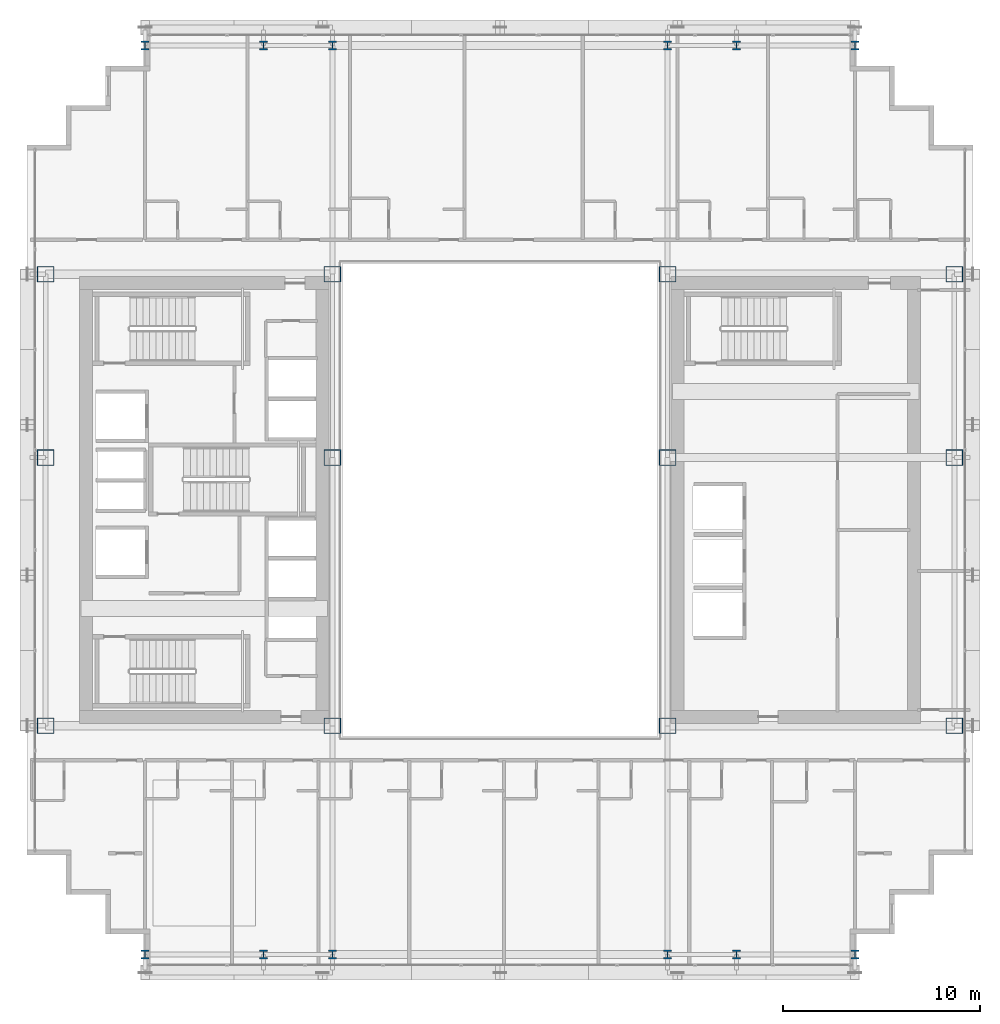
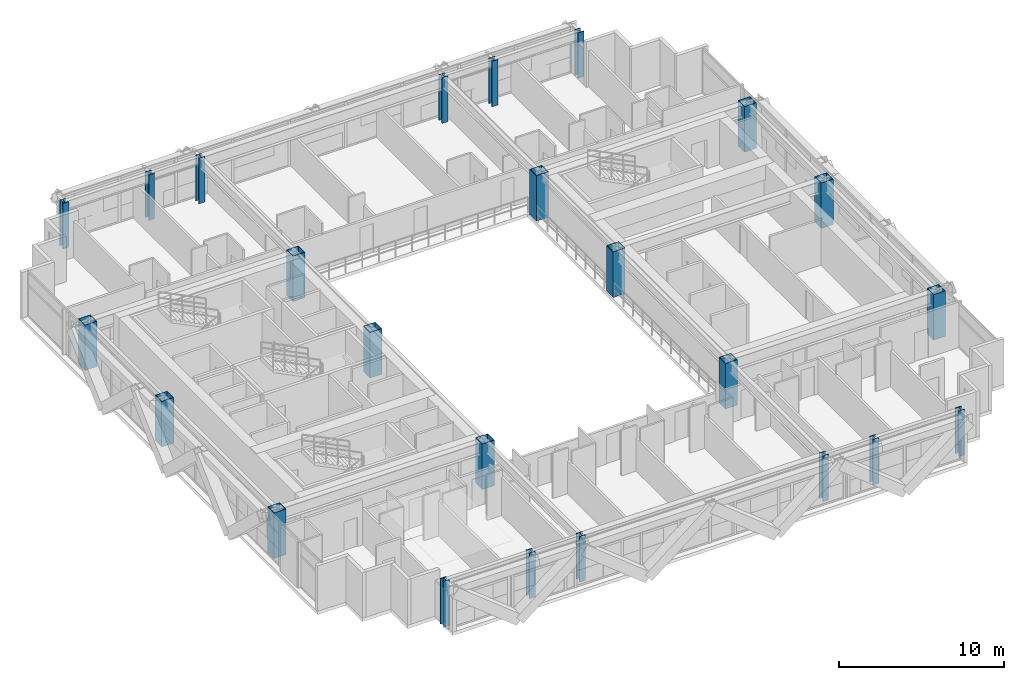
# One storey, part 1 of 35: 24 columns.
"""IFC4 building model written with IfcOpenShell, lengths in metres."""

from ifc_helpers import new_model, si_unit, direction, frame, origin, origin_2d, place, context, subcontext, project, spatial, hollow_rectangle, i_section, extrude, source, transform, mapped, material, material_profile, profile_set, type_object, element, save


model = new_model("IFC4")

# Units and contexts
model_context = context("Model", 3, precision=1e-05, world=origin(), true_north=direction((0.0, 1.0)))
body_context = subcontext(model_context, "Body", "Model", "MODEL_VIEW")
ifc_project = project(units=[si_unit("LENGTHUNIT", "METRE"), si_unit("AREAUNIT", "SQUARE_METRE"), si_unit("VOLUMEUNIT", "CUBIC_METRE"), si_unit("PLANEANGLEUNIT", "RADIAN"), si_unit("MASSUNIT", "GRAM", prefix="KILO")], contexts=[model_context])

# Site, building, storey
site_placement = place(None, origin())
site = spatial("IfcSite", under=ifc_project, at=site_placement, CompositionType="ELEMENT")
building_placement = place(site_placement, origin())
building = spatial("IfcBuilding", under=site, at=building_placement, Name="Ocotamira Hotel", CompositionType="ELEMENT")
storey_placement = place(building_placement, frame((0.0, 0.0, 100.800048828125)))
storey = spatial("IfcBuildingStorey", under=building, at=storey_placement, Name="L24", CompositionType="ELEMENT", Elevation=100.800048828125)

# Columns
ifc_material = material(Name="Steel ASTM A913 Grade 65", Category="steel")
ifc_material_profile_1 = material_profile(ifc_material, hollow_rectangle(XDim=0.85009765625, YDim=0.800048828125, WallThickness=0.031982421875, at=origin_2d()), Name="BOX800X850X32")
ifc_profile_set_1 = profile_set([ifc_material_profile_1], Name="Steel ASTM A913 Grade 65")
column_type_1 = type_object("IfcColumnType", Name="COL-BOX800", PredefinedType="COLUMN", material=ifc_profile_set_1)
shared_shape_1 = source(origin(), body_context, "Body", "SweptSolid", [
    extrude(hollow_rectangle(XDim=0.85009765625, YDim=0.800048828125, WallThickness=0.031982421875, at=origin_2d()), origin(), (0.0, 0.0, 1.0), 3.35986328125),
])
for number, where, z_axis, x_axis, name in (
    (1, (8.949951171875, 14.550048828125, 0.0), (0.0, 0.0, 1.0), (1.0, 0.0, 0.0), "L24 Column TW8_14"),
    (2, (23.5, 14.550048828125, 0.0), (0.0, 0.0, 1.0), (1.0, 0.0, 0.0), "L24 Column TW23_14"),
    (3, (40.5, 14.550048828125, 0.0), (0.0, 0.0, 1.0), (1.0, 0.0, 0.0), "L24 Column TE40_14"),
    (4, (55.050048828125, 14.550048828125, 0.0), (0.0, 0.0, 1.0), (1.0, 0.0, 0.0), "L24 Column TE55_14"),
    (5, (8.949951171875, 28.14990234375, 0.0), (0.0, 0.0, 1.0), (1.0, 0.0, 0.0), "L24 Column TW8_28"),
    (6, (23.5, 28.14990234375, 0.0), (0.0, 0.0, 1.0), (1.0, 0.0, 0.0), "L24 Column TW23_28"),
    (7, (40.5, 28.14990234375, 0.0), (0.0, 0.0, 1.0), (1.0, 0.0, 0.0), "L24 Column TE40_28"),
    (8, (55.050048828125, 28.14990234375, 0.0), (0.0, 0.0, 1.0), (1.0, 0.0, 0.0), "L24 Column TE55_28"),
    (9, (8.949951171875, 37.449951171875, 0.0), (0.0, 0.0, 1.0), (1.0, 0.0, 0.0), "L24 Column TW8_37"),
    (10, (23.5, 37.449951171875, 0.0), (0.0, 0.0, 1.0), (1.0, 0.0, 0.0), "L24 Column TW23_37"),
    (11, (40.5, 37.449951171875, 0.0), (0.0, 0.0, 1.0), (1.0, 0.0, 0.0), "L24 Column TE40_37"),
    (12, (55.050048828125, 37.449951171875, 0.0), (0.0, 0.0, 1.0), (1.0, 0.0, 0.0), "L24 Column TE55_37"),
):
    element("IfcColumn", number, at=place(storey_placement, frame(where, z_axis=z_axis, x_axis=x_axis)), inside=storey, type_object=column_type_1, Name=name, PredefinedType="COLUMN", context=body_context, shape_type="MappedRepresentation", body=[
        mapped(shared_shape_1, transform((0.0, 0.0, 0.0), scale=1.0)),
    ])
ifc_material_profile_2 = material_profile(ifc_material, i_section(OverallWidth=0.412109375, OverallDepth=0.43505859375, WebThickness=0.035888671875, FlangeThickness=0.057373046875, FilletRadius=0.02490234375, at=origin_2d()), Name="W14X311")
ifc_profile_set_2 = profile_set([ifc_material_profile_2], Name="Steel ASTM A913 Grade 65")
column_type_2 = type_object("IfcColumnType", Name="COL-W14X311", PredefinedType="COLUMN", material=ifc_profile_set_2)
shared_shape_2 = source(origin(), body_context, "Body", "SweptSolid", [
    extrude(i_section(OverallWidth=0.412109375, OverallDepth=0.43505859375, WebThickness=0.035888671875, FlangeThickness=0.057373046875, FilletRadius=0.02490234375, at=origin_2d()), origin(), (0.0, 0.0, 1.0), 3.35986328125),
])
for number, where, z_axis, x_axis, name in (
    (13, (14.0, 2.949951171875, 0.0), (0.0, 0.0, 1.0), (1.0, 0.0, 0.0), "L24 Column NSP1_14"),
    (14, (20.0, 2.949951171875, 0.0), (0.0, 0.0, 1.0), (1.0, 0.0, 0.0), "L24 Column NSP1_20"),
    (15, (23.5, 2.949951171875, 0.0), (0.0, 0.0, 1.0), (1.0, 0.0, 0.0), "L24 Column NSP1_23"),
    (16, (40.5, 2.949951171875, 0.0), (0.0, 0.0, 1.0), (1.0, 0.0, 0.0), "L24 Column NSP1_40"),
    (17, (44.0, 2.949951171875, 0.0), (0.0, 0.0, 1.0), (1.0, 0.0, 0.0), "L24 Column NSP1_44"),
    (18, (50.0, 2.949951171875, 0.0), (0.0, 0.0, 1.0), (1.0, 0.0, 0.0), "L24 Column NSP1_50"),
    (19, (14.0, 49.050048828125, 0.0), (0.0, 0.0, 1.0), (1.0, 0.0, 0.0), "L24 Column NSP2_14"),
    (20, (20.0, 49.050048828125, 0.0), (0.0, 0.0, 1.0), (1.0, 0.0, 0.0), "L24 Column NSP2_20"),
    (21, (23.5, 49.050048828125, 0.0), (0.0, 0.0, 1.0), (1.0, 0.0, 0.0), "L24 Column NSP2_23"),
    (22, (40.5, 49.050048828125, 0.0), (0.0, 0.0, 1.0), (1.0, 0.0, 0.0), "L24 Column NSP2_40"),
    (23, (44.0, 49.050048828125, 0.0), (0.0, 0.0, 1.0), (1.0, 0.0, 0.0), "L24 Column NSP2_44"),
    (24, (50.0, 49.050048828125, 0.0), (0.0, 0.0, 1.0), (1.0, 0.0, 0.0), "L24 Column NSP2_50"),
):
    element("IfcColumn", number, at=place(storey_placement, frame(where, z_axis=z_axis, x_axis=x_axis)), inside=storey, type_object=column_type_2, Name=name, PredefinedType="COLUMN", context=body_context, shape_type="MappedRepresentation", body=[
        mapped(shared_shape_2, transform((0.0, 0.0, 0.0), scale=1.0)),
    ])

save(model, "model.ifc")
